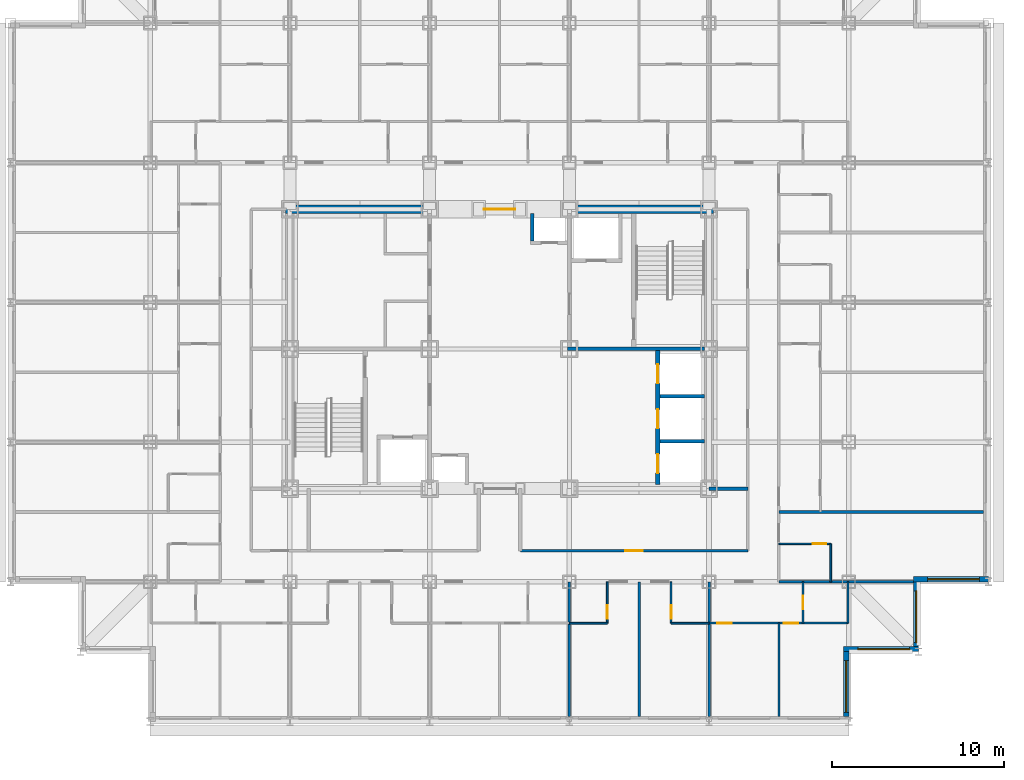
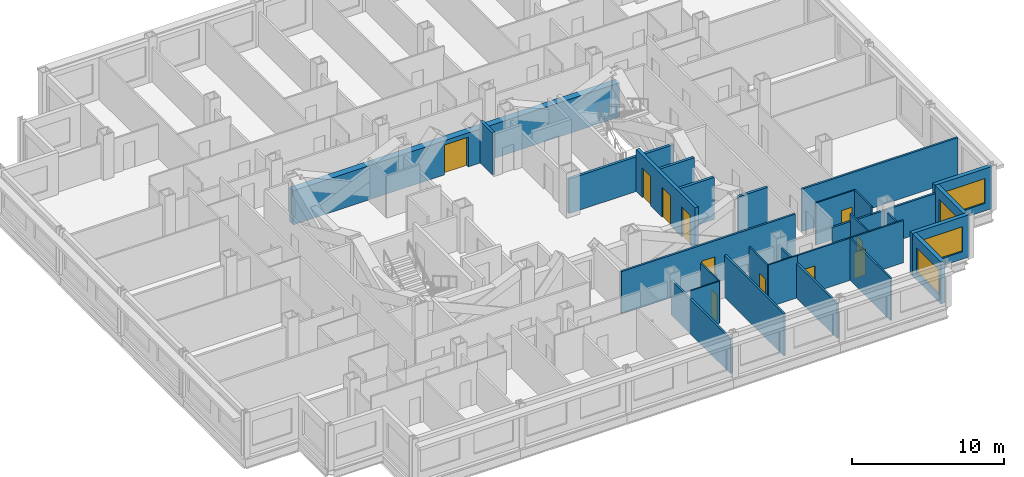
# One storey, part 7 of 12: 27 walls, 11 doors, 4 windows, 15 openings.
"""IFC4 building model written with IfcOpenShell, lengths in metres."""

import ifcopenshell
import ifcopenshell.guid

model = None  # the IFC model being written
_history = None  # IfcOwnerHistory: only IFC2X3 demands one
_inside = {}  # id of a spatial element -> (the spatial element, [elements in it])
_under = {}  # id of a project, library or spatial element -> (it, [spatial elements below it])
_declared = {}  # id of a project -> (the project, [libraries it declares])
_typed = {}  # id of a type object -> (the type object, [elements of that type])
_made_of = {}  # id of a material, layer set ... -> (it, [elements and type objects made of it])


def new_model(schema):
    """Start an empty IFC model of exactly this schema.

    Asked for "IFC4X3", IfcOpenShell would pick the latest addendum, in which some entities
    have other attributes; the version numbers below select the first issue.
    IFC2X3 requires an IfcOwnerHistory on every rooted entity: one is made here for all.
    """
    global model, _history
    if schema == "IFC4X3":
        model = ifcopenshell.file(schema_version=(4, 3, 0, 0))
    else:
        model = ifcopenshell.file(schema=schema)
    _inside.clear()
    _under.clear()
    _declared.clear()
    _typed.clear()
    _made_of.clear()
    _history = None
    if model.schema == "IFC2X3":
        org = make("IfcOrganization", Name="unknown")
        user = make(
            "IfcPersonAndOrganization",
            ThePerson=make("IfcPerson", FamilyName="unknown"),
            TheOrganization=org,
        )
        app = make(
            "IfcApplication",
            ApplicationDeveloper=org,
            Version="unknown",
            ApplicationFullName="unknown",
            ApplicationIdentifier="unknown",
        )
        _history = make(
            "IfcOwnerHistory",
            OwningUser=user,
            OwningApplication=app,
            ChangeAction="ADDED",
            CreationDate=0,
        )
    return model


def make(cls, **values):
    """One entity of the class cls with the attributes given. An attribute that is None is left unset."""
    return model.create_entity(
        cls, **{name: value for name, value in values.items() if value is not None}
    )


def rooted(cls, **values):
    """An entity with a GlobalId (a new one), such as an element, a storey or a relation."""
    return make(cls, GlobalId=ifcopenshell.guid.new(), OwnerHistory=_history, **values)


def si_unit(unit_type, name, prefix=None):
    """IfcSIUnit, for example si_unit("LENGTHUNIT", "METRE", prefix="MILLI")."""
    return make("IfcSIUnit", UnitType=unit_type, Prefix=prefix, Name=name)


def assignment(units):
    """IfcUnitAssignment: the units of a project."""
    return None if units is None else make("IfcUnitAssignment", Units=units)


def point(xyz):
    """IfcCartesianPoint."""
    return None if xyz is None else make("IfcCartesianPoint", Coordinates=xyz)


def direction(xyz):
    """IfcDirection."""
    return None if xyz is None else make("IfcDirection", DirectionRatios=xyz)


def frame(location, z_axis=None, x_axis=None):
    """IfcAxis2Placement3D, a coordinate frame: its origin and axes. An axis left out is left unset."""
    return make(
        "IfcAxis2Placement3D",
        Location=point(location),
        Axis=direction(z_axis),
        RefDirection=direction(x_axis),
    )


def frame_2d(location, x_axis=None):
    """IfcAxis2Placement2D, a coordinate frame in the plane: its origin and x axis."""
    return make(
        "IfcAxis2Placement2D", Location=point(location), RefDirection=direction(x_axis)
    )


def origin():
    """The frame at (0, 0, 0) with its axes left unset."""
    return frame((0.0, 0.0, 0.0))


def place(relative_to, where):
    """IfcLocalPlacement: puts the frame where relative to a parent placement (None: the world)."""
    return make(
        "IfcLocalPlacement", PlacementRelTo=relative_to, RelativePlacement=where
    )


def context(
    kind, dimensions, precision=None, world=None, true_north=None, identifier=None
):
    """IfcGeometricRepresentationContext, for example the 3D "Model" context."""
    return make(
        "IfcGeometricRepresentationContext",
        ContextIdentifier=identifier,
        ContextType=kind,
        CoordinateSpaceDimension=dimensions,
        Precision=precision,
        WorldCoordinateSystem=world,
        TrueNorth=true_north,
    )


def subcontext(parent, identifier, kind, view, scale=None):
    """IfcGeometricRepresentationSubContext, for example "Body" below "Model"."""
    return make(
        "IfcGeometricRepresentationSubContext",
        ContextIdentifier=identifier,
        ContextType=kind,
        ParentContext=parent,
        TargetScale=scale,
        TargetView=view,
    )


def project(units=None, contexts=None):
    """IfcProject with its units and contexts."""
    return rooted(
        "IfcProject",
        Name="project",
        RepresentationContexts=contexts,
        UnitsInContext=assignment(units),
    )


def spatial(cls, under=None, at=None, **own):
    """A site, building, storey or space (cls), placed at a placement, below another one or the project."""
    s = rooted(cls, ObjectPlacement=at, **own)
    if under is not None:
        _under.setdefault(under.id(), (under, []))[1].append(s)
    return s


def profile(cls, at=None, kind="AREA", **sizes):
    """A parametric profile (cls). Its sizes go by their IFC names, for example OverallWidth=200.0."""
    return make(cls, ProfileType=kind, Position=at, **sizes)


def rectangle(**sizes):
    """IfcRectangleProfileDef."""
    return profile("IfcRectangleProfileDef", **sizes)


def extrude(swept, where, along, depth):
    """IfcExtrudedAreaSolid: the profile swept, set in the frame where, extruded along a direction by depth."""
    return make(
        "IfcExtrudedAreaSolid",
        SweptArea=swept,
        Position=where,
        ExtrudedDirection=direction(along),
        Depth=depth,
    )


def shape(context_of_items, identifier, shape_type, items):
    """IfcShapeRepresentation: the items that make up one representation, for example the "Body"."""
    return make(
        "IfcShapeRepresentation",
        ContextOfItems=context_of_items,
        RepresentationIdentifier=identifier,
        RepresentationType=shape_type,
        Items=items,
    )


def material(Name=None, Category=None):
    """IfcMaterial."""
    return make("IfcMaterial", Name=Name, Category=Category)


def layer(
    of_material, thickness, ventilated=None, Name=None, Category=None, Priority=None
):
    """IfcMaterialLayer: one layer of a wall or slab, of a material (None: an air gap)."""
    return make(
        "IfcMaterialLayer",
        Material=of_material,
        LayerThickness=thickness,
        IsVentilated=ventilated,
        Name=Name,
        Category=Category,
        Priority=Priority,
    )


def layer_set(layers, Name=None):
    """IfcMaterialLayerSet."""
    return make("IfcMaterialLayerSet", MaterialLayers=layers, LayerSetName=Name)


def made_of(thing, what):
    """Note that an element or type object is made of a material, layer set ...; save() writes the relation."""
    if what is not None:
        _made_of.setdefault(what.id(), (what, []))[1].append(thing)
    return thing


def type_object(cls, material=None, **own):
    """A type object (cls), such as IfcWallType, which elements share."""
    return made_of(rooted(cls, **own), material)


def element(
    cls,
    number,
    at=None,
    inside=None,
    cuts=None,
    type_object=None,
    material=None,
    context=None,
    identifier="Body",
    shape_type=None,
    held_by="IfcProductDefinitionShape",
    body=None,
    shapes=None,
    **own,
):
    """One element of the class cls, such as IfcWall. Its Tag is "e" and its number.

    at: its placement. inside: the storey or other place that contains it. cuts: it is an
    opening in that element (IfcRelVoidsElement). A single representation is given by context,
    identifier, shape_type and body (its items); several are given by shapes. held_by: the class
    of the entity that holds the representations. save() writes the other relations.
    """
    e = rooted(cls, Tag="e%d" % number, ObjectPlacement=at, **own)
    if body is not None:
        shapes = [shape(context, identifier, shape_type, body)]
    if shapes is not None:
        e.Representation = make(held_by, Representations=shapes)
    if inside is not None:
        _inside.setdefault(inside.id(), (inside, []))[1].append(e)
    if cuts is not None:
        rooted(
            "IfcRelVoidsElement", RelatingBuildingElement=cuts, RelatedOpeningElement=e
        )
    if type_object is not None:
        _typed.setdefault(type_object.id(), (type_object, []))[1].append(e)
    return made_of(e, material)


def fill(opening, filler):
    """IfcRelFillsElement: the door or window that sits in an opening."""
    return rooted(
        "IfcRelFillsElement",
        RelatingOpeningElement=opening,
        RelatedBuildingElement=filler,
    )


def aggregate(whole, parts):
    """IfcRelAggregates: a whole, such as a stair, and the parts it consists of."""
    return rooted("IfcRelAggregates", RelatingObject=whole, RelatedObjects=parts)


def save(model, path):
    """Write the relations noted so far, then the file.

    IfcRelAggregates (storeys below a building ...), IfcRelContainedInSpatialStructure (elements
    in a storey), IfcRelDefinesByType, IfcRelAssociatesMaterial and IfcRelDeclares: one each for
    every whole, place, type object, material and project.
    """
    for whole, parts in _under.values():
        aggregate(whole, parts)
    for where, things in _inside.values():
        rooted(
            "IfcRelContainedInSpatialStructure",
            RelatedElements=things,
            RelatingStructure=where,
        )
    for kind, things in _typed.values():
        rooted("IfcRelDefinesByType", RelatedObjects=things, RelatingType=kind)
    for what, things in _made_of.values():
        rooted("IfcRelAssociatesMaterial", RelatedObjects=things, RelatingMaterial=what)
    for by, libraries in _declared.values():
        rooted("IfcRelDeclares", RelatingContext=by, RelatedDefinitions=libraries)
    model.write(path)


model = new_model("IFC4")

# Units and contexts
model_context = context("Model", 3, precision=1e-05, world=origin(), true_north=direction((0.0, 1.0)))
body_context = subcontext(model_context, "Body", "Model", "MODEL_VIEW")
ifc_project = project(units=[si_unit("LENGTHUNIT", "METRE"), si_unit("AREAUNIT", "SQUARE_METRE"), si_unit("VOLUMEUNIT", "CUBIC_METRE"), si_unit("PLANEANGLEUNIT", "RADIAN"), si_unit("MASSUNIT", "GRAM", prefix="KILO")], contexts=[model_context])

# Site, building, storey
site_placement = place(None, origin())
site = spatial("IfcSite", under=ifc_project, at=site_placement, CompositionType="ELEMENT")
building_placement = place(site_placement, origin())
building = spatial("IfcBuilding", under=site, at=building_placement, Name="Kopane Lantern Tower", CompositionType="ELEMENT")
storey_placement = place(building_placement, frame((0.0, 0.0, 170.39990234375)))
storey = spatial("IfcBuildingStorey", under=building, at=storey_placement, Name="L43", CompositionType="ELEMENT", Elevation=170.39990234375)

# Wall, openings, doors
ifc_material_1 = material(Name="Gypsum board on steel studs", Category="steel")
ifc_layer_1 = layer(ifc_material_1, 0.1201171875)
ifc_layer_set_1 = layer_set([ifc_layer_1], Name="APARTMENT INTERNAL WALL 120")
wall_type_1 = type_object("IfcWallType", Name="APARTMENT INTERNAL WALL 120", PredefinedType="PARTITIONING", material=ifc_layer_set_1)
wall_1_placement = place(storey_placement, frame((40.5, 16.5, 0.0), z_axis=(0.0, 0.0, 1.0), x_axis=(1.0, 0.0, 0.0)))
wall_1 = element("IfcWall", 1, at=wall_1_placement, inside=storey, type_object=wall_type_1, Name="Apartment Internal Wall 120 L43", PredefinedType="PARTITIONING", context=body_context, shape_type="SweptSolid", body=[
    extrude(rectangle(XDim=8.050048828125, YDim=0.1201171875, at=frame_2d((4.02490234375, 0.0))), origin(), (0.0, 0.0, 1.0), 3.39013671875),
])
opening_1_placement = place(wall_1_placement, frame((0.47509765625, 0.0, 0.0)))
opening_1 = element("IfcOpeningElement", 2, at=opening_1_placement, cuts=wall_1, Name="Opening L43-059", PredefinedType="OPENING", context=body_context, shape_type="SweptSolid", body=[
    extrude(rectangle(XDim=0.85009765625, YDim=2.10009765625, at=frame_2d((0.425048828125, 1.050048828125))), frame((0.0, 0.070068359375, 0.0), z_axis=(0.0, -1.0, 0.0), x_axis=(1.0, 0.0, 0.0)), (0.0, 0.0, 1.0), 0.14013671875),
])
opening_2_placement = place(wall_1_placement, frame((4.324951171875, 0.0, 0.0)))
opening_2 = element("IfcOpeningElement", 3, at=opening_2_placement, cuts=wall_1, Name="Opening L43-061", PredefinedType="OPENING", context=body_context, shape_type="SweptSolid", body=[
    extrude(rectangle(XDim=0.85009765625, YDim=2.10009765625, at=frame_2d((0.425048828125, 1.050048828125))), frame((0.0, 0.070068359375, 0.0), z_axis=(0.0, -1.0, 0.0), x_axis=(1.0, 0.0, 0.0)), (0.0, 0.0, 1.0), 0.14013671875),
])
ifc_material_2 = material(Name="Timber door set", Category="wood")
door_type_1 = type_object("IfcDoorType", Name="DOOR D4 850x2100", OperationType="SINGLE_SWING_LEFT", PredefinedType="DOOR", material=ifc_material_2)
door_1_placement = place(opening_1_placement, origin())
door_1 = element("IfcDoor", 4, at=door_1_placement, inside=storey, type_object=door_type_1, Name="Door L43-059", OperationType="SINGLE_SWING_LEFT", OverallHeight=2.10009765625, OverallWidth=0.85009765625, PredefinedType="DOOR", context=body_context, shape_type="SweptSolid", body=[
    extrude(rectangle(XDim=0.85009765625, YDim=2.10009765625, at=frame_2d((0.425048828125, 1.050048828125))), frame((0.0, 0.02490234375, 0.0), z_axis=(0.0, -1.0, 0.0), x_axis=(1.0, 0.0, 0.0)), (0.0, 0.0, 1.0), 0.050048828125),
])
fill(opening_1, door_1)
door_2_placement = place(opening_2_placement, origin())
door_2 = element("IfcDoor", 5, at=door_2_placement, inside=storey, type_object=door_type_1, Name="Door L43-061", OperationType="SINGLE_SWING_RIGHT", OverallHeight=2.10009765625, OverallWidth=0.85009765625, PredefinedType="DOOR", context=body_context, shape_type="SweptSolid", body=[
    extrude(rectangle(XDim=0.85009765625, YDim=2.10009765625, at=frame_2d((0.425048828125, 1.050048828125))), frame((0.0, 0.02490234375, 0.0), z_axis=(0.0, -1.0, 0.0), x_axis=(1.0, 0.0, 0.0)), (0.0, 0.0, 1.0), 0.050048828125),
])
fill(opening_2, door_2)

# Walls
wall_2_placement = place(storey_placement, frame((44.550048828125, 16.5, 0.0), z_axis=(0.0, 0.0, 1.0), x_axis=(0.0, -1.0, 0.0)))
element("IfcWall", 6, at=wall_2_placement, inside=storey, type_object=wall_type_1, Name="Apartment Internal Wall 120 L43", PredefinedType="PARTITIONING", context=body_context, shape_type="SweptSolid", body=[
    extrude(rectangle(XDim=5.39990234375, YDim=0.1201171875, at=frame_2d((2.699951171875, 0.0))), origin(), (0.0, 0.0, 1.0), 3.39013671875),
])
ifc_material_3 = material(Name="Moisture-resistant board on steel studs", Category="steel")
ifc_layer_2 = layer(ifc_material_3, 0.10009765625)
ifc_layer_set_2 = layer_set([ifc_layer_2], Name="BATHROOM WALL 100")
wall_type_2 = type_object("IfcWallType", Name="BATHROOM WALL 100", PredefinedType="PARTITIONING", material=ifc_layer_set_2)
wall_3_placement = place(storey_placement, frame((32.39990234375, 16.5, 0.0), z_axis=(0.0, 0.0, 1.0), x_axis=(1.0, 0.0, 0.0)))
element("IfcWall", 7, at=wall_3_placement, inside=storey, type_object=wall_type_2, Name="Bathroom Wall 100 L43", PredefinedType="PARTITIONING", context=body_context, shape_type="SweptSolid", body=[
    extrude(rectangle(XDim=2.2001953125, YDim=0.10009765625, at=frame_2d((1.10009765625, 0.0))), origin(), (0.0, 0.0, 1.0), 3.39013671875),
])

# Wall, opening, door
wall_4_placement = place(storey_placement, frame((34.60009765625, 18.89990234375, 0.0), z_axis=(0.0, 0.0, 1.0), x_axis=(0.0, -1.0, 0.0)))
wall_4 = element("IfcWall", 8, at=wall_4_placement, inside=storey, type_object=wall_type_2, Name="Bathroom Wall 100 L43", PredefinedType="PARTITIONING", context=body_context, shape_type="SweptSolid", body=[
    extrude(rectangle(XDim=2.39990234375, YDim=0.10009765625, at=frame_2d((1.199951171875, 0.0))), origin(), (0.0, 0.0, 1.0), 3.39013671875),
])
opening_3_placement = place(wall_4_placement, frame((1.35009765625, 0.0, 0.0)))
opening_3 = element("IfcOpeningElement", 9, at=opening_3_placement, cuts=wall_4, Name="Opening L43-016", PredefinedType="OPENING", context=body_context, shape_type="SweptSolid", body=[
    extrude(rectangle(XDim=0.800048828125, YDim=2.10009765625, at=frame_2d((0.39990234375, 1.050048828125))), frame((0.0, 0.06005859375, 0.0), z_axis=(0.0, -1.0, 0.0), x_axis=(1.0, 0.0, 0.0)), (0.0, 0.0, 1.0), 0.1201171875),
])
ifc_material_4 = material(Name="Timber door set", Category="wood")
door_type_2 = type_object("IfcDoorType", Name="DOOR D2 800x2100", OperationType="SINGLE_SWING_LEFT", PredefinedType="DOOR", material=ifc_material_4)
door_3_placement = place(opening_3_placement, origin())
door_3 = element("IfcDoor", 10, at=door_3_placement, inside=storey, type_object=door_type_2, Name="Door L43-016", OperationType="SINGLE_SWING_LEFT", OverallHeight=2.10009765625, OverallWidth=0.800048828125, PredefinedType="DOOR", context=body_context, shape_type="SweptSolid", body=[
    extrude(rectangle(XDim=0.800048828125, YDim=2.10009765625, at=frame_2d((0.39990234375, 1.050048828125))), frame((0.0, 0.02490234375, 0.0), z_axis=(0.0, -1.0, 0.0), x_axis=(1.0, 0.0, 0.0)), (0.0, 0.0, 1.0), 0.050048828125),
])
fill(opening_3, door_3)

# Wall
wall_5_placement = place(storey_placement, frame((38.300048828125, 16.5, 0.0), z_axis=(0.0, 0.0, 1.0), x_axis=(1.0, 0.0, 0.0)))
element("IfcWall", 11, at=wall_5_placement, inside=storey, type_object=wall_type_2, Name="Bathroom Wall 100 L43", PredefinedType="PARTITIONING", context=body_context, shape_type="SweptSolid", body=[
    extrude(rectangle(XDim=2.199951171875, YDim=0.10009765625, at=frame_2d((1.10009765625, 0.0))), origin(), (0.0, 0.0, 1.0), 3.39013671875),
])

# Wall, opening, door
wall_6_placement = place(storey_placement, frame((38.300048828125, 18.89990234375, 0.0), z_axis=(0.0, 0.0, 1.0), x_axis=(0.0, -1.0, 0.0)))
wall_6 = element("IfcWall", 12, at=wall_6_placement, inside=storey, type_object=wall_type_2, Name="Bathroom Wall 100 L43", PredefinedType="PARTITIONING", context=body_context, shape_type="SweptSolid", body=[
    extrude(rectangle(XDim=2.39990234375, YDim=0.10009765625, at=frame_2d((1.199951171875, 0.0))), origin(), (0.0, 0.0, 1.0), 3.39013671875),
])
opening_4_placement = place(wall_6_placement, frame((1.35009765625, 0.0, 0.0)))
opening_4 = element("IfcOpeningElement", 13, at=opening_4_placement, cuts=wall_6, Name="Opening L43-018", PredefinedType="OPENING", context=body_context, shape_type="SweptSolid", body=[
    extrude(rectangle(XDim=0.800048828125, YDim=2.10009765625, at=frame_2d((0.39990234375, 1.050048828125))), frame((0.0, 0.06005859375, 0.0), z_axis=(0.0, -1.0, 0.0), x_axis=(1.0, 0.0, 0.0)), (0.0, 0.0, 1.0), 0.1201171875),
])
door_4_placement = place(opening_4_placement, origin())
door_4 = element("IfcDoor", 14, at=door_4_placement, inside=storey, type_object=door_type_2, Name="Door L43-018", OperationType="SINGLE_SWING_RIGHT", OverallHeight=2.10009765625, OverallWidth=0.800048828125, PredefinedType="DOOR", context=body_context, shape_type="SweptSolid", body=[
    extrude(rectangle(XDim=0.800048828125, YDim=2.10009765625, at=frame_2d((0.39990234375, 1.050048828125))), frame((0.0, 0.02490234375, 0.0), z_axis=(0.0, -1.0, 0.0), x_axis=(1.0, 0.0, 0.0)), (0.0, 0.0, 1.0), 0.050048828125),
])
fill(opening_4, door_4)

# Wall
wall_7_placement = place(storey_placement, frame((47.550048828125, 18.89990234375, 0.0), z_axis=(0.0, 0.0, 1.0), x_axis=(0.0, 1.0, 0.0)))
element("IfcWall", 15, at=wall_7_placement, inside=storey, type_object=wall_type_2, Name="Bathroom Wall 100 L43", PredefinedType="PARTITIONING", context=body_context, shape_type="SweptSolid", body=[
    extrude(rectangle(XDim=2.2001953125, YDim=0.10009765625, at=frame_2d((1.10009765625, 0.0))), origin(), (0.0, 0.0, 1.0), 3.39013671875),
])

# Wall, opening, door
wall_8_placement = place(storey_placement, frame((44.550048828125, 21.10009765625, 0.0), z_axis=(0.0, 0.0, 1.0), x_axis=(1.0, 0.0, 0.0)))
wall_8 = element("IfcWall", 16, at=wall_8_placement, inside=storey, type_object=wall_type_2, Name="Bathroom Wall 100 L43", PredefinedType="PARTITIONING", context=body_context, shape_type="SweptSolid", body=[
    extrude(rectangle(XDim=3.0, YDim=0.10009765625, at=frame_2d((1.5, 0.0))), origin(), (0.0, 0.0, 1.0), 3.39013671875),
])
opening_5_placement = place(wall_8_placement, frame((1.949951171875, 0.0, 0.0)))
opening_5 = element("IfcOpeningElement", 17, at=opening_5_placement, cuts=wall_8, Name="Opening L43-044", PredefinedType="OPENING", context=body_context, shape_type="SweptSolid", body=[
    extrude(rectangle(XDim=0.800048828125, YDim=2.10009765625, at=frame_2d((0.39990234375, 1.050048828125))), frame((0.0, 0.06005859375, 0.0), z_axis=(0.0, -1.0, 0.0), x_axis=(1.0, 0.0, 0.0)), (0.0, 0.0, 1.0), 0.1201171875),
])
door_5_placement = place(opening_5_placement, origin())
door_5 = element("IfcDoor", 18, at=door_5_placement, inside=storey, type_object=door_type_2, Name="Door L43-044", OperationType="SINGLE_SWING_LEFT", OverallHeight=2.10009765625, OverallWidth=0.800048828125, PredefinedType="DOOR", context=body_context, shape_type="SweptSolid", body=[
    extrude(rectangle(XDim=0.800048828125, YDim=2.10009765625, at=frame_2d((0.39990234375, 1.050048828125))), frame((0.0, 0.02490234375, 0.0), z_axis=(0.0, -1.0, 0.0), x_axis=(1.0, 0.0, 0.0)), (0.0, 0.0, 1.0), 0.050048828125),
])
fill(opening_5, door_5)

wall_9_placement = place(storey_placement, frame((45.949951171875, 18.89990234375, 0.0), z_axis=(0.0, 0.0, 1.0), x_axis=(0.0, -1.0, 0.0)))
wall_9 = element("IfcWall", 19, at=wall_9_placement, inside=storey, type_object=wall_type_2, Name="Bathroom Wall 100 L43", PredefinedType="PARTITIONING", context=body_context, shape_type="SweptSolid", body=[
    extrude(rectangle(XDim=2.39990234375, YDim=0.10009765625, at=frame_2d((1.199951171875, 0.0))), origin(), (0.0, 0.0, 1.0), 3.39013671875),
])
opening_6_placement = place(wall_9_placement, frame((0.800048828125, 0.0, 0.0)))
opening_6 = element("IfcOpeningElement", 20, at=opening_6_placement, cuts=wall_9, Name="Opening L43-060", PredefinedType="OPENING", context=body_context, shape_type="SweptSolid", body=[
    extrude(rectangle(XDim=0.800048828125, YDim=2.10009765625, at=frame_2d((0.39990234375, 1.050048828125))), frame((0.0, 0.06005859375, 0.0), z_axis=(0.0, -1.0, 0.0), x_axis=(1.0, 0.0, 0.0)), (0.0, 0.0, 1.0), 0.1201171875),
])
door_6_placement = place(opening_6_placement, origin())
door_6 = element("IfcDoor", 21, at=door_6_placement, inside=storey, type_object=door_type_2, Name="Door L43-060", OperationType="SINGLE_SWING_LEFT", OverallHeight=2.10009765625, OverallWidth=0.800048828125, PredefinedType="DOOR", context=body_context, shape_type="SweptSolid", body=[
    extrude(rectangle(XDim=0.800048828125, YDim=2.10009765625, at=frame_2d((0.39990234375, 1.050048828125))), frame((0.0, 0.02490234375, 0.0), z_axis=(0.0, -1.0, 0.0), x_axis=(1.0, 0.0, 0.0)), (0.0, 0.0, 1.0), 0.050048828125),
])
fill(opening_6, door_6)

# Wall
wall_10_placement = place(storey_placement, frame((48.550048828125, 18.89990234375, 0.0), z_axis=(0.0, 0.0, 1.0), x_axis=(0.0, -1.0, 0.0)))
element("IfcWall", 22, at=wall_10_placement, inside=storey, type_object=wall_type_2, Name="Bathroom Wall 100 L43", PredefinedType="PARTITIONING", context=body_context, shape_type="SweptSolid", body=[
    extrude(rectangle(XDim=2.39990234375, YDim=0.10009765625, at=frame_2d((1.199951171875, 0.0))), origin(), (0.0, 0.0, 1.0), 2.77783203125),
])

# Wall, opening, door
ifc_material_5 = material(Name="Gypsum shaft wall EI 120", Category="gypsum")
ifc_layer_3 = layer(ifc_material_5, 0.5)
ifc_layer_set_3 = layer_set([ifc_layer_3], Name="CORE PERIMETER WALL 500 EI 120")
wall_type_3 = type_object("IfcWallType", Name="CORE PERIMETER WALL 500 EI 120", PredefinedType="SOLIDWALL", material=ifc_layer_set_3)
wall_11_placement = place(storey_placement, frame((15.949951171875, 40.5, 0.0), z_axis=(0.0, 0.0, 1.0), x_axis=(1.0, 0.0, 0.0)))
wall_11 = element("IfcWall", 23, at=wall_11_placement, inside=storey, type_object=wall_type_3, Name="Core shaft wall L43 PN", PredefinedType="SOLIDWALL", context=body_context, shape_type="SweptSolid", body=[
    extrude(rectangle(XDim=24.800048828125, YDim=0.5, at=frame_2d((12.39990234375, 0.0))), origin(), (0.0, 0.0, 1.0), 2.739990234375),
])
opening_7_placement = place(wall_11_placement, frame((11.5, 0.0, 0.0)))
opening_7 = element("IfcOpeningElement", 24, at=opening_7_placement, cuts=wall_11, Name="Opening 43.CE-N", PredefinedType="OPENING", context=body_context, shape_type="SweptSolid", body=[
    extrude(rectangle(XDim=1.800048828125, YDim=2.39990234375, at=frame_2d((0.89990234375, 1.199951171875))), frame((0.0, 0.260009765625, 0.0), z_axis=(0.0, -1.0, 0.0), x_axis=(1.0, 0.0, 0.0)), (0.0, 0.0, 1.0), 0.52001953125),
])
ifc_material_6 = material(Name="Steel door set", Category="steel")
door_type_3 = type_object("IfcDoorType", Name="CORE ENTRY DOOR 1800x2400 FD60S", OperationType="DOUBLE_DOOR_SINGLE_SWING", PredefinedType="DOOR", material=ifc_material_6)
door_7_placement = place(opening_7_placement, origin())
door_7 = element("IfcDoor", 25, at=door_7_placement, inside=storey, type_object=door_type_3, Name="Core entry door L43 north", OperationType="DOUBLE_DOOR_SINGLE_SWING", OverallHeight=2.39990234375, OverallWidth=1.800048828125, PredefinedType="DOOR", context=body_context, shape_type="SweptSolid", body=[
    extrude(rectangle(XDim=1.800048828125, YDim=2.39990234375, at=frame_2d((0.89990234375, 1.199951171875))), frame((0.0, 0.02490234375, 0.0), z_axis=(0.0, -1.0, 0.0), x_axis=(1.0, 0.0, 0.0)), (0.0, 0.0, 1.0), 0.050048828125),
])
fill(opening_7, door_7)

# Wall, openings, doors
ifc_material_7 = material(Name="Gypsum shaft wall EI 120", Category="gypsum")
ifc_layer_4 = layer(ifc_material_7, 0.25)
ifc_layer_set_4 = layer_set([ifc_layer_4], Name="CORE SHAFT WALL 250 EI 120")
wall_type_4 = type_object("IfcWallType", Name="CORE SHAFT WALL 250 EI 120", PredefinedType="SOLIDWALL", material=ifc_layer_set_4)
wall_12_placement = place(storey_placement, frame((37.52490234375, 24.550048828125, 0.0), z_axis=(0.0, 0.0, 1.0), x_axis=(0.0, 1.0, 0.0)))
wall_12 = element("IfcWall", 26, at=wall_12_placement, inside=storey, type_object=wall_type_4, Name="Core shaft wall L43 XLR", PredefinedType="SOLIDWALL", context=body_context, shape_type="SweptSolid", body=[
    extrude(rectangle(XDim=7.75, YDim=0.25, at=frame_2d((3.875, 0.0))), origin(), (0.0, 0.0, 1.0), 3.39013671875),
])
opening_8_placement = place(wall_12_placement, frame((0.64990234375, 0.0, 0.0)))
opening_8 = element("IfcOpeningElement", 27, at=opening_8_placement, cuts=wall_12, Name="Opening 43.LD-LR1", PredefinedType="OPENING", context=body_context, shape_type="SweptSolid", body=[
    extrude(rectangle(XDim=1.10009765625, YDim=2.39990234375, at=frame_2d((0.550048828125, 1.199951171875))), frame((0.0, 0.135009765625, 0.0), z_axis=(0.0, -1.0, 0.0), x_axis=(1.0, 0.0, 0.0)), (0.0, 0.0, 1.0), 0.27001953125),
])
opening_9_placement = place(wall_12_placement, frame((3.25, 0.0, 0.0)))
opening_9 = element("IfcOpeningElement", 28, at=opening_9_placement, cuts=wall_12, Name="Opening 43.LD-LR2", PredefinedType="OPENING", context=body_context, shape_type="SweptSolid", body=[
    extrude(rectangle(XDim=1.10009765625, YDim=2.39990234375, at=frame_2d((0.550048828125, 1.199951171875))), frame((0.0, 0.135009765625, 0.0), z_axis=(0.0, -1.0, 0.0), x_axis=(1.0, 0.0, 0.0)), (0.0, 0.0, 1.0), 0.27001953125),
])
opening_10_placement = place(wall_12_placement, frame((5.85009765625, 0.0, 0.0)))
opening_10 = element("IfcOpeningElement", 29, at=opening_10_placement, cuts=wall_12, Name="Opening 43.LD-LR3", PredefinedType="OPENING", context=body_context, shape_type="SweptSolid", body=[
    extrude(rectangle(XDim=1.10009765625, YDim=2.39990234375, at=frame_2d((0.550048828125, 1.199951171875))), frame((0.0, 0.135009765625, 0.0), z_axis=(0.0, -1.0, 0.0), x_axis=(1.0, 0.0, 0.0)), (0.0, 0.0, 1.0), 0.27001953125),
])
ifc_material_8 = material(Name="Steel door set", Category="steel")
door_type_4 = type_object("IfcDoorType", Name="LIFT LANDING DOOR 1100x2400 FD60", OperationType="DOUBLE_DOOR_SLIDING", PredefinedType="DOOR", material=ifc_material_8)
door_8_placement = place(opening_8_placement, origin())
door_8 = element("IfcDoor", 30, at=door_8_placement, inside=storey, type_object=door_type_4, Name="Landing door LR1 L43", OperationType="DOUBLE_DOOR_SLIDING", OverallHeight=2.39990234375, OverallWidth=1.10009765625, PredefinedType="DOOR", context=body_context, shape_type="SweptSolid", body=[
    extrude(rectangle(XDim=1.10009765625, YDim=2.39990234375, at=frame_2d((0.550048828125, 1.199951171875))), frame((0.0, 0.02490234375, 0.0), z_axis=(0.0, -1.0, 0.0), x_axis=(1.0, 0.0, 0.0)), (0.0, 0.0, 1.0), 0.050048828125),
])
fill(opening_8, door_8)
door_9_placement = place(opening_9_placement, origin())
door_9 = element("IfcDoor", 31, at=door_9_placement, inside=storey, type_object=door_type_4, Name="Landing door LR2 L43", OperationType="DOUBLE_DOOR_SLIDING", OverallHeight=2.39990234375, OverallWidth=1.10009765625, PredefinedType="DOOR", context=body_context, shape_type="SweptSolid", body=[
    extrude(rectangle(XDim=1.10009765625, YDim=2.39990234375, at=frame_2d((0.550048828125, 1.199951171875))), frame((0.0, 0.02490234375, 0.0), z_axis=(0.0, -1.0, 0.0), x_axis=(1.0, 0.0, 0.0)), (0.0, 0.0, 1.0), 0.050048828125),
])
fill(opening_9, door_9)
door_10_placement = place(opening_10_placement, origin())
door_10 = element("IfcDoor", 32, at=door_10_placement, inside=storey, type_object=door_type_4, Name="Landing door LR3 L43", OperationType="DOUBLE_DOOR_SLIDING", OverallHeight=2.39990234375, OverallWidth=1.10009765625, PredefinedType="DOOR", context=body_context, shape_type="SweptSolid", body=[
    extrude(rectangle(XDim=1.10009765625, YDim=2.39990234375, at=frame_2d((0.550048828125, 1.199951171875))), frame((0.0, 0.02490234375, 0.0), z_axis=(0.0, -1.0, 0.0), x_axis=(1.0, 0.0, 0.0)), (0.0, 0.0, 1.0), 0.050048828125),
])
fill(opening_10, door_10)

# Wall, opening, door
ifc_material_9 = material(Name="Gypsum board on steel studs", Category="steel")
ifc_layer_5 = layer(ifc_material_9, 0.14990234375)
ifc_layer_set_5 = layer_set([ifc_layer_5], Name="CORRIDOR WALL 150 EI 60")
wall_type_5 = type_object("IfcWallType", Name="CORRIDOR WALL 150 EI 60", PredefinedType="PARTITIONING", material=ifc_layer_set_5)
wall_13_placement = place(storey_placement, frame((29.56005859375, 20.699951171875, 0.0), z_axis=(0.0, 0.0, 1.0), x_axis=(1.0, 0.0, 0.0)))
wall_13 = element("IfcWall", 33, at=wall_13_placement, inside=storey, type_object=wall_type_5, Name="Corridor Wall 150 Ei 60 L43", PredefinedType="PARTITIONING", context=body_context, shape_type="SweptSolid", body=[
    extrude(rectangle(XDim=13.18994140625, YDim=0.14990234375, at=frame_2d((6.594970703125, 0.0))), origin(), (0.0, 0.0, 1.0), 3.39013671875),
])
opening_11_placement = place(wall_13_placement, frame((6.090087890625, 0.0, 0.0)))
opening_11 = element("IfcOpeningElement", 34, at=opening_11_placement, cuts=wall_13, Name="Opening L43-007", PredefinedType="OPENING", context=body_context, shape_type="SweptSolid", body=[
    extrude(rectangle(XDim=1.0, YDim=2.10009765625, at=frame_2d((0.5, 1.050048828125))), frame((0.0, 0.0849609375, 0.0), z_axis=(0.0, -1.0, 0.0), x_axis=(1.0, 0.0, 0.0)), (0.0, 0.0, 1.0), 0.169921875),
])
ifc_material_10 = material(Name="Steel door set", Category="steel")
door_type_5 = type_object("IfcDoorType", Name="DOOR D5 1000x2100 FD60", OperationType="SINGLE_SWING_LEFT", PredefinedType="DOOR", material=ifc_material_10)
door_11_placement = place(opening_11_placement, origin())
door_11 = element("IfcDoor", 35, at=door_11_placement, inside=storey, type_object=door_type_5, Name="Door L43-007", OperationType="SINGLE_SWING_LEFT", OverallHeight=2.10009765625, OverallWidth=1.0, PredefinedType="DOOR", context=body_context, shape_type="SweptSolid", body=[
    extrude(rectangle(XDim=1.0, YDim=2.10009765625, at=frame_2d((0.5, 1.050048828125))), frame((0.0, 0.02490234375, 0.0), z_axis=(0.0, -1.0, 0.0), x_axis=(1.0, 0.0, 0.0)), (0.0, 0.0, 1.0), 0.050048828125),
])
fill(opening_11, door_11)

# Walls
ifc_material_11 = material(Name="Gypsum board on steel studs", Category="steel")
ifc_layer_6 = layer(ifc_material_11, 0.14990234375)
ifc_layer_set_6 = layer_set([ifc_layer_6], Name="DEMISING WALL 150 EI 60")
wall_type_6 = type_object("IfcWallType", Name="DEMISING WALL 150 EI 60", PredefinedType="PARTITIONING", material=ifc_layer_set_6)
wall_14_placement = place(storey_placement, frame((32.39990234375, 18.89990234375, 0.0), z_axis=(0.0, 0.0, 1.0), x_axis=(0.0, -1.0, 0.0)))
element("IfcWall", 36, at=wall_14_placement, inside=storey, type_object=wall_type_6, Name="Demising Wall 150 Ei 60 L43", PredefinedType="PARTITIONING", context=body_context, shape_type="SweptSolid", body=[
    extrude(rectangle(XDim=7.7998046875, YDim=0.14990234375, at=frame_2d((3.89990234375, 0.0))), origin(), (0.0, 0.0, 1.0), 2.77783203125),
])
wall_15_placement = place(storey_placement, frame((36.449951171875, 18.89990234375, 0.0), z_axis=(0.0, 0.0, 1.0), x_axis=(0.0, -1.0, 0.0)))
element("IfcWall", 37, at=wall_15_placement, inside=storey, type_object=wall_type_6, Name="Demising Wall 150 Ei 60 L43", PredefinedType="PARTITIONING", context=body_context, shape_type="SweptSolid", body=[
    extrude(rectangle(XDim=7.7998046875, YDim=0.14990234375, at=frame_2d((3.89990234375, 0.0))), origin(), (0.0, 0.0, 1.0), 3.39013671875),
])
wall_16_placement = place(storey_placement, frame((44.550048828125, 22.949951171875, 0.0), z_axis=(0.0, 0.0, 1.0), x_axis=(1.0, 0.0, 0.0)))
element("IfcWall", 38, at=wall_16_placement, inside=storey, type_object=wall_type_6, Name="Demising Wall 150 Ei 60 L43", PredefinedType="PARTITIONING", context=body_context, shape_type="SweptSolid", body=[
    extrude(rectangle(XDim=11.849853515625, YDim=0.14990234375, at=frame_2d((5.9248046875, 0.0))), origin(), (0.0, 0.0, 1.0), 3.39013671875),
])
wall_17_placement = place(storey_placement, frame((44.550048828125, 18.89990234375, 0.0), z_axis=(0.0, 0.0, 1.0), x_axis=(1.0, 0.0, 0.0)))
element("IfcWall", 39, at=wall_17_placement, inside=storey, type_object=wall_type_6, Name="Demising Wall 150 Ei 60 L43", PredefinedType="PARTITIONING", context=body_context, shape_type="SweptSolid", body=[
    extrude(rectangle(XDim=7.800048828125, YDim=0.14990234375, at=frame_2d((3.89990234375, 0.0))), origin(), (0.0, 0.0, 1.0), 2.77783203125),
])
wall_18_placement = place(storey_placement, frame((40.5, 18.89990234375, 0.0), z_axis=(0.0, 0.0, 1.0), x_axis=(0.0, -1.0, 0.0)))
element("IfcWall", 40, at=wall_18_placement, inside=storey, type_object=wall_type_6, Name="Demising Wall 150 Ei 60 L43", PredefinedType="PARTITIONING", context=body_context, shape_type="SweptSolid", body=[
    extrude(rectangle(XDim=7.7998046875, YDim=0.14990234375, at=frame_2d((3.89990234375, 0.0))), origin(), (0.0, 0.0, 1.0), 2.77783203125),
])

# Wall, opening, window
ifc_material_12 = material(Name="Terracotta rainscreen on light steel framing", Category="masonry")
ifc_layer_7 = layer(ifc_material_12, 0.300048828125)
ifc_layer_set_7 = layer_set([ifc_layer_7], Name="EXTERNAL WALL EW1 300 TERRACOTTA")
wall_type_7 = type_object("IfcWallType", Name="EXTERNAL WALL EW1 300 TERRACOTTA", PredefinedType="SOLIDWALL", material=ifc_layer_set_7)
wall_19_placement = place(storey_placement, frame((48.449951171875, 11.10009765625, 0.0), z_axis=(0.0, 0.0, 1.0), x_axis=(0.0, 1.0, 0.0)))
wall_19 = element("IfcWall", 41, at=wall_19_placement, inside=storey, type_object=wall_type_7, Name="External wall E L43", PredefinedType="SOLIDWALL", context=body_context, shape_type="SweptSolid", body=[
    extrude(rectangle(XDim=3.75, YDim=0.300048828125, at=frame_2d((1.875, 0.0))), origin(), (0.0, 0.0, 1.0), 3.39013671875),
])
opening_12_placement = place(wall_19_placement, frame((0.22509765625, 0.0, 0.60009765625)))
opening_12 = element("IfcOpeningElement", 42, at=opening_12_placement, cuts=wall_19, Name="Opening WR300200", PredefinedType="OPENING", context=body_context, shape_type="SweptSolid", body=[
    extrude(rectangle(XDim=3.0, YDim=2.0, at=frame_2d((1.5, 1.0))), frame((0.0, 0.159912109375, 0.0), z_axis=(0.0, -1.0, 0.0), x_axis=(1.0, 0.0, 0.0)), (0.0, 0.0, 1.0), 0.320068359375),
])
ifc_material_13 = material(Name="Aluminium and clear glass", Category="aluminium")
window_type = type_object("IfcWindowType", Name="RIBBON WINDOW WR300200 3000x2000", PartitioningType="SINGLE_PANEL", PredefinedType="WINDOW", material=ifc_material_13)
window_1_placement = place(opening_12_placement, origin())
window_1 = element("IfcWindow", 43, at=window_1_placement, inside=storey, type_object=window_type, Name="Window E L43", OverallHeight=2.0, OverallWidth=3.0, PartitioningType="SINGLE_PANEL", PredefinedType="WINDOW", context=body_context, shape_type="SweptSolid", body=[
    extrude(rectangle(XDim=3.0, YDim=2.0, at=frame_2d((1.5, 1.0))), frame((0.0, 0.030029296875, 0.0), z_axis=(0.0, -1.0, 0.0), x_axis=(1.0, 0.0, 0.0)), (0.0, 0.0, 1.0), 0.06005859375),
])
fill(opening_12, window_1)

wall_20_placement = place(storey_placement, frame((48.300048828125, 15.0, 0.0), z_axis=(0.0, 0.0, 1.0), x_axis=(1.0, 0.0, 0.0)))
wall_20 = element("IfcWall", 44, at=wall_20_placement, inside=storey, type_object=wall_type_7, Name="External wall S L43", PredefinedType="SOLIDWALL", context=body_context, shape_type="SweptSolid", body=[
    extrude(rectangle(XDim=4.349853515625, YDim=0.300048828125, at=frame_2d((2.1748046875, 0.0))), origin(), (0.0, 0.0, 1.0), 3.39013671875),
])
opening_13_placement = place(wall_20_placement, frame((0.824951171875, 0.0, 0.60009765625)))
opening_13 = element("IfcOpeningElement", 45, at=opening_13_placement, cuts=wall_20, Name="Opening WR300200", PredefinedType="OPENING", context=body_context, shape_type="SweptSolid", body=[
    extrude(rectangle(XDim=3.0, YDim=2.0, at=frame_2d((1.5, 1.0))), frame((0.0, 0.159912109375, 0.0), z_axis=(0.0, -1.0, 0.0), x_axis=(1.0, 0.0, 0.0)), (0.0, 0.0, 1.0), 0.320068359375),
])
window_2_placement = place(opening_13_placement, origin())
window_2 = element("IfcWindow", 46, at=window_2_placement, inside=storey, type_object=window_type, Name="Window S L43", OverallHeight=2.0, OverallWidth=3.0, PartitioningType="SINGLE_PANEL", PredefinedType="WINDOW", context=body_context, shape_type="SweptSolid", body=[
    extrude(rectangle(XDim=3.0, YDim=2.0, at=frame_2d((1.5, 1.0))), frame((0.0, 0.030029296875, 0.0), z_axis=(0.0, -1.0, 0.0), x_axis=(1.0, 0.0, 0.0)), (0.0, 0.0, 1.0), 0.06005859375),
])
fill(opening_13, window_2)

wall_21_placement = place(storey_placement, frame((52.5, 15.14990234375, 0.0), z_axis=(0.0, 0.0, 1.0), x_axis=(0.0, 1.0, 0.0)))
wall_21 = element("IfcWall", 47, at=wall_21_placement, inside=storey, type_object=wall_type_7, Name="External wall E L43", PredefinedType="SOLIDWALL", context=body_context, shape_type="SweptSolid", body=[
    extrude(rectangle(XDim=3.75, YDim=0.300048828125, at=frame_2d((1.875, 0.0))), origin(), (0.0, 0.0, 1.0), 3.39013671875),
])
opening_14_placement = place(wall_21_placement, frame((0.22509765625, 0.0, 0.60009765625)))
opening_14 = element("IfcOpeningElement", 48, at=opening_14_placement, cuts=wall_21, Name="Opening WR300200", PredefinedType="OPENING", context=body_context, shape_type="SweptSolid", body=[
    extrude(rectangle(XDim=3.0, YDim=2.0, at=frame_2d((1.5, 1.0))), frame((0.0, 0.159912109375, 0.0), z_axis=(0.0, -1.0, 0.0), x_axis=(1.0, 0.0, 0.0)), (0.0, 0.0, 1.0), 0.320068359375),
])
window_3_placement = place(opening_14_placement, origin())
window_3 = element("IfcWindow", 49, at=window_3_placement, inside=storey, type_object=window_type, Name="Window E L43", OverallHeight=2.0, OverallWidth=3.0, PartitioningType="SINGLE_PANEL", PredefinedType="WINDOW", context=body_context, shape_type="SweptSolid", body=[
    extrude(rectangle(XDim=3.0, YDim=2.0, at=frame_2d((1.5, 1.0))), frame((0.0, 0.030029296875, 0.0), z_axis=(0.0, -1.0, 0.0), x_axis=(1.0, 0.0, 0.0)), (0.0, 0.0, 1.0), 0.06005859375),
])
fill(opening_14, window_3)

wall_22_placement = place(storey_placement, frame((52.35009765625, 19.050048828125, 0.0), z_axis=(0.0, 0.0, 1.0), x_axis=(1.0, 0.0, 0.0)))
wall_22 = element("IfcWall", 50, at=wall_22_placement, inside=storey, type_object=wall_type_7, Name="External wall S L43", PredefinedType="SOLIDWALL", context=body_context, shape_type="SweptSolid", body=[
    extrude(rectangle(XDim=4.349853515625, YDim=0.300048828125, at=frame_2d((2.1748046875, 0.0))), origin(), (0.0, 0.0, 1.0), 3.39013671875),
])
opening_15_placement = place(wall_22_placement, frame((0.824951171875, 0.0, 0.60009765625)))
opening_15 = element("IfcOpeningElement", 51, at=opening_15_placement, cuts=wall_22, Name="Opening WR300200", PredefinedType="OPENING", context=body_context, shape_type="SweptSolid", body=[
    extrude(rectangle(XDim=3.0, YDim=2.0, at=frame_2d((1.5, 1.0))), frame((0.0, 0.159912109375, 0.0), z_axis=(0.0, -1.0, 0.0), x_axis=(1.0, 0.0, 0.0)), (0.0, 0.0, 1.0), 0.320068359375),
])
window_4_placement = place(opening_15_placement, origin())
window_4 = element("IfcWindow", 52, at=window_4_placement, inside=storey, type_object=window_type, Name="Window S L43", OverallHeight=2.0, OverallWidth=3.0, PartitioningType="SINGLE_PANEL", PredefinedType="WINDOW", context=body_context, shape_type="SweptSolid", body=[
    extrude(rectangle(XDim=3.0, YDim=2.0, at=frame_2d((1.5, 1.0))), frame((0.0, 0.030029296875, 0.0), z_axis=(0.0, -1.0, 0.0), x_axis=(1.0, 0.0, 0.0)), (0.0, 0.0, 1.0), 0.06005859375),
])
fill(opening_15, window_4)

# Walls
ifc_material_14 = material(Name="Concrete masonry", Category="masonry")
ifc_layer_8 = layer(ifc_material_14, 0.199951171875)
ifc_layer_set_8 = layer_set([ifc_layer_8], Name="PLANT ROOM WALL 200 EI 120")
wall_type_8 = type_object("IfcWallType", Name="PLANT ROOM WALL 200 EI 120", PredefinedType="SOLIDWALL", material=ifc_layer_set_8)
wall_23_placement = place(storey_placement, frame((40.5, 24.300048828125, 0.0), z_axis=(0.0, 0.0, 1.0), x_axis=(1.0, 0.0, 0.0)))
element("IfcWall", 53, at=wall_23_placement, inside=storey, type_object=wall_type_8, Name="Plant Room Wall 200 Ei 120 L43", PredefinedType="SOLIDWALL", context=body_context, shape_type="SweptSolid", body=[
    extrude(rectangle(XDim=2.25, YDim=0.199951171875, at=frame_2d((1.125, 0.0))), origin(), (0.0, 0.0, 1.0), 3.39013671875),
])
ifc_material_15 = material(Name="Gypsum shaft wall EI 120", Category="gypsum")
ifc_layer_9 = layer(ifc_material_15, 0.199951171875)
ifc_layer_set_9 = layer_set([ifc_layer_9], Name="SHAFT WALL 200 EI 120")
wall_type_9 = type_object("IfcWallType", Name="SHAFT WALL 200 EI 120", PredefinedType="SOLIDWALL", material=ifc_layer_set_9)
wall_24_placement = place(storey_placement, frame((32.300048828125, 32.39990234375, 0.0), z_axis=(0.0, 0.0, 1.0), x_axis=(1.0, 0.0, 0.0)))
element("IfcWall", 54, at=wall_24_placement, inside=storey, type_object=wall_type_9, Name="Core shaft wall L43 Y324E", PredefinedType="SOLIDWALL", context=body_context, shape_type="SweptSolid", body=[
    extrude(rectangle(XDim=7.949951171875, YDim=0.199951171875, at=frame_2d((3.97509765625, 0.0))), origin(), (0.0, 0.0, 1.0), 2.77783203125),
])
for number, where, z_axis, x_axis, name in (
    (55, (37.64990234375, 27.050048828125, 0.0), (0.0, 0.0, 1.0), (1.0, 0.0, 0.0), "Core shaft wall L43 YLR12"),
    (56, (37.64990234375, 29.64990234375, 0.0), (0.0, 0.0, 1.0), (1.0, 0.0, 0.0), "Core shaft wall L43 YLR23"),
):
    element("IfcWall", number, at=place(storey_placement, frame(where, z_axis=z_axis, x_axis=x_axis)), inside=storey, type_object=wall_type_9, Name=name, PredefinedType="SOLIDWALL", context=body_context, shape_type="SweptSolid", body=[
        extrude(rectangle(XDim=2.60009765625, YDim=0.199951171875, at=frame_2d((1.300048828125, 0.0))), origin(), (0.0, 0.0, 1.0), 3.39013671875),
    ])
wall_25_placement = place(storey_placement, frame((30.25, 38.64990234375, 0.0), z_axis=(0.0, 0.0, 1.0), x_axis=(0.0, 1.0, 0.0)))
element("IfcWall", 57, at=wall_25_placement, inside=storey, type_object=wall_type_9, Name="Core shaft wall L43 XRS2", PredefinedType="SOLIDWALL", context=body_context, shape_type="SweptSolid", body=[
    extrude(rectangle(XDim=1.60009765625, YDim=0.199951171875, at=frame_2d((0.800048828125, 0.0))), origin(), (0.0, 0.0, 1.0), 3.39013671875),
])

save(model, "model.ifc")
